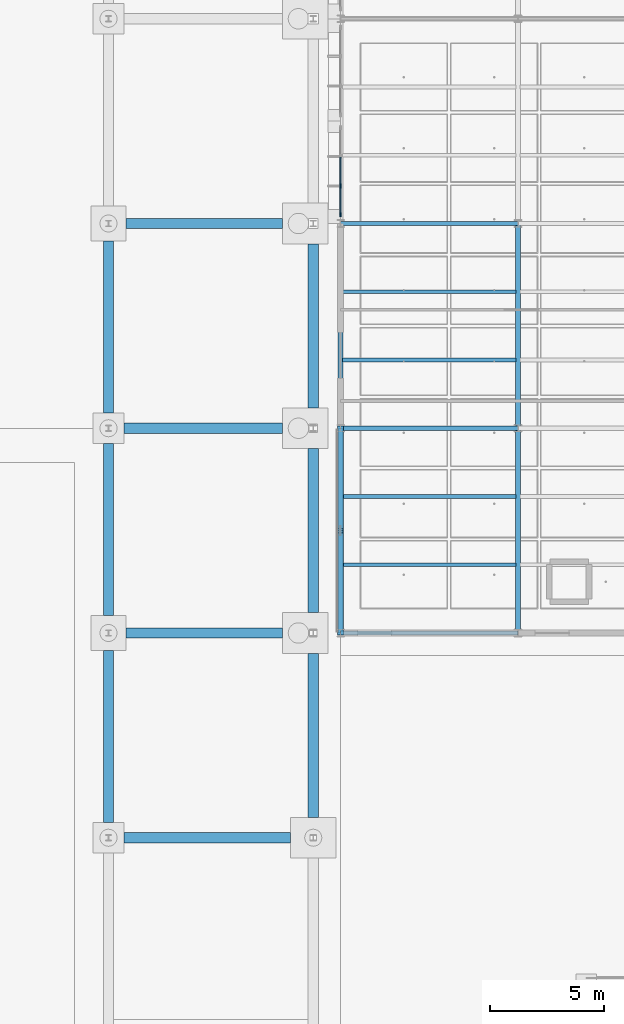
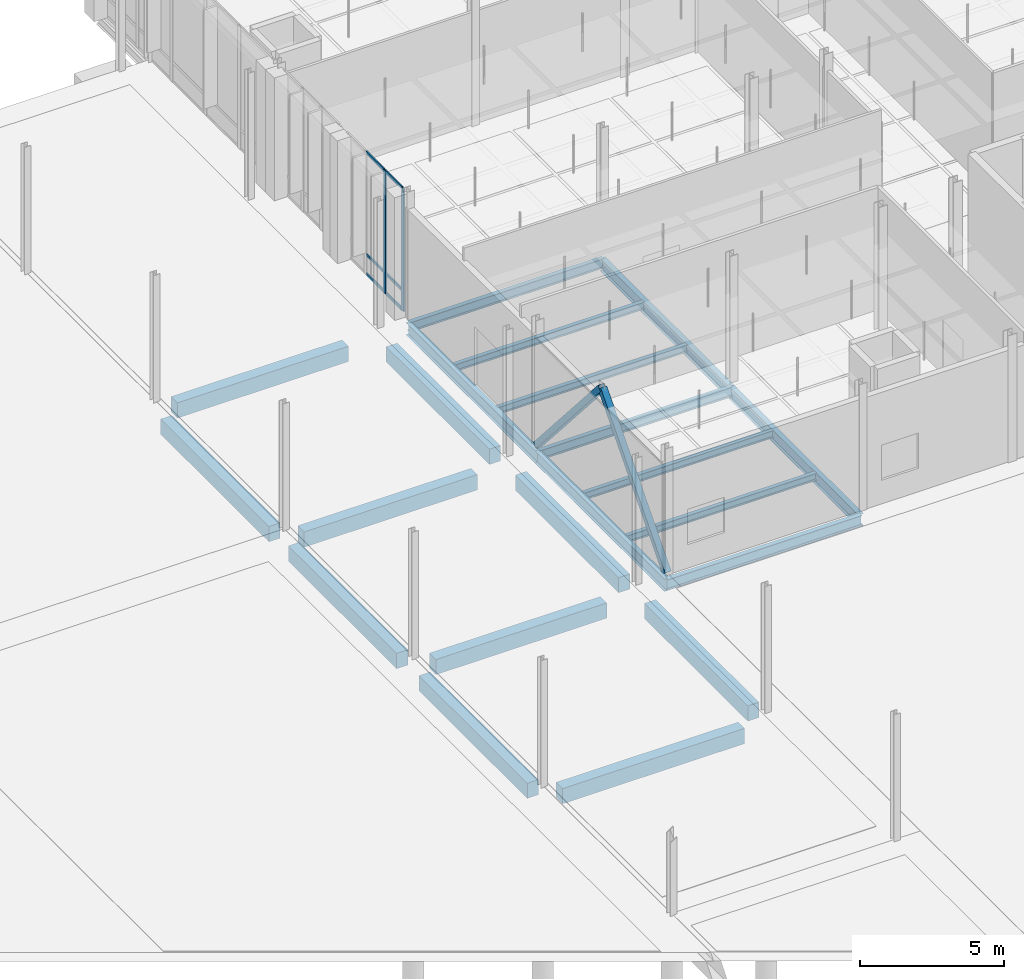
# One storey, part 50 of 180: 21 beams, 10 members, 1 element without a shape of its own.
"""IFC4 building model written with IfcOpenShell, lengths in metres."""

from ifc_helpers import new_model, si_unit, direction, frame, origin, origin_2d, place, context, subcontext, project, spatial, rectangle, hollow_rectangle, i_section, extrude, material, material_profile, profile_set, type_object, element, aggregate, save


model = new_model("IFC4")

# Units and contexts
model_context = context("Model", 3, precision=1e-05, world=origin(), true_north=direction((0.0, 1.0)))
body_context = subcontext(model_context, "Body", "Model", "MODEL_VIEW")
ifc_project = project(units=[si_unit("LENGTHUNIT", "METRE"), si_unit("AREAUNIT", "SQUARE_METRE"), si_unit("VOLUMEUNIT", "CUBIC_METRE"), si_unit("PLANEANGLEUNIT", "RADIAN"), si_unit("MASSUNIT", "GRAM", prefix="KILO"), si_unit("THERMODYNAMICTEMPERATUREUNIT", "KELVIN"), si_unit("POWERUNIT", "WATT")], contexts=[model_context])

# Site, building, storey
site_placement = place(None, origin())
site = spatial("IfcSite", under=ifc_project, at=site_placement, CompositionType="ELEMENT")
building_placement = place(site_placement, origin())
building = spatial("IfcBuilding", under=site, at=building_placement, Name="Tallowbark Science Centre", CompositionType="ELEMENT")
storey_placement = place(building_placement, origin())
storey = spatial("IfcBuildingStorey", under=building, at=storey_placement, Name="L00", CompositionType="ELEMENT", Elevation=0.0)

# Beams
ifc_material_1 = material(Name="Concrete Grade N40 (40 MPa)", Category="concrete")
ifc_material_profile_1 = material_profile(ifc_material_1, rectangle(XDim=0.449951171875, YDim=0.64990234375, at=origin_2d()), Name="RC450x650")
ifc_profile_set_1 = profile_set([ifc_material_profile_1], Name="Concrete Grade N40 (40 MPa)")
beam_type_1 = type_object("IfcBeamType", Name="BM-GB2-N40", PredefinedType="BEAM", material=ifc_profile_set_1)
beam_1_placement = place(storey_placement, frame((45.675048828125, 63.0, -0.5849609375), z_axis=(1.0, 0.0, 0.0), x_axis=(0.0, 1.0, 0.0)))
element("IfcBeam", 1, at=beam_1_placement, inside=storey, type_object=beam_type_1, Name="Ground Tie Beam GBT-X-269", PredefinedType="BEAM", context=body_context, shape_type="SweptSolid", body=[
    extrude(rectangle(XDim=0.449951171875, YDim=0.64990234375, at=origin_2d()), origin(), (0.0, 0.0, 1.0), 7.324951171875),
])
beam_2_placement = place(storey_placement, frame((45.77490234375, 72.0, -0.5849609375), z_axis=(1.0, 0.0, 0.0), x_axis=(0.0, 1.0, 0.0)))
element("IfcBeam", 2, at=beam_2_placement, inside=storey, type_object=beam_type_1, Name="Ground Tie Beam GBT-X-270", PredefinedType="BEAM", context=body_context, shape_type="SweptSolid", body=[
    extrude(rectangle(XDim=0.449951171875, YDim=0.64990234375, at=origin_2d()), origin(), (0.0, 0.0, 1.0), 6.875),
])
beam_3_placement = place(storey_placement, frame((45.675048828125, 81.0, -0.5849609375), z_axis=(1.0, 0.0, 0.0), x_axis=(0.0, 1.0, 0.0)))
element("IfcBeam", 3, at=beam_3_placement, inside=storey, type_object=beam_type_1, Name="Ground Tie Beam GBT-X-274", PredefinedType="BEAM", context=body_context, shape_type="SweptSolid", body=[
    extrude(rectangle(XDim=0.449951171875, YDim=0.64990234375, at=origin_2d()), origin(), (0.0, 0.0, 1.0), 6.974853515625),
])
beam_4_placement = place(storey_placement, frame((45.77490234375, 90.0, -0.5849609375), z_axis=(1.0, 0.0, 0.0), x_axis=(0.0, 1.0, 0.0)))
element("IfcBeam", 4, at=beam_4_placement, inside=storey, type_object=beam_type_1, Name="Ground Tie Beam GBT-X-278", PredefinedType="BEAM", context=body_context, shape_type="SweptSolid", body=[
    extrude(rectangle(XDim=0.449951171875, YDim=0.64990234375, at=origin_2d()), origin(), (0.0, 0.0, 1.0), 6.875),
])
for number, where, z_axis, x_axis, name in (
    (5, (45.0, 63.675048828125, -0.5849609375), (0.0, 1.0, 0.0), (-1.0, 0.0, 0.0), "Ground Tie Beam GBT-Y-310"),
    (6, (45.0, 72.77490234375, -0.5849609375), (0.0, 1.0, 0.0), (-1.0, 0.0, 0.0), "Ground Tie Beam GBT-Y-311"),
    (7, (45.0, 81.675048828125, -0.5849609375), (0.0, 1.0, 0.0), (-1.0, 0.0, 0.0), "Ground Tie Beam GBT-Y-312"),
):
    element("IfcBeam", number, at=place(storey_placement, frame(where, z_axis=z_axis, x_axis=x_axis)), inside=storey, type_object=beam_type_1, Name=name, PredefinedType="BEAM", context=body_context, shape_type="SweptSolid", body=[
        extrude(rectangle(XDim=0.449951171875, YDim=0.64990234375, at=origin_2d()), origin(), (0.0, 0.0, 1.0), 7.550048828125),
    ])
for number, where, z_axis, x_axis, name in (
    (8, (54.0, 63.89990234375, -0.5849609375), (0.0, 1.0, 0.0), (-1.0, 0.0, 0.0), "Ground Tie Beam GBT-Y-322"),
    (9, (54.0, 72.89990234375, -0.5849609375), (0.0, 1.0, 0.0), (-1.0, 0.0, 0.0), "Ground Tie Beam GBT-Y-323"),
    (10, (54.0, 81.89990234375, -0.5849609375), (0.0, 1.0, 0.0), (-1.0, 0.0, 0.0), "Ground Tie Beam GBT-Y-324"),
):
    element("IfcBeam", number, at=place(storey_placement, frame(where, z_axis=z_axis, x_axis=x_axis)), inside=storey, type_object=beam_type_1, Name=name, PredefinedType="BEAM", context=body_context, shape_type="SweptSolid", body=[
        extrude(rectangle(XDim=0.449951171875, YDim=0.64990234375, at=origin_2d()), origin(), (0.0, 0.0, 1.0), 7.2001953125),
    ])
ifc_material_2 = material(Name="Structural Steel Grade 300PLUS (300 MPa)", Category="steel")
ifc_material_profile_2 = material_profile(ifc_material_2, i_section(OverallWidth=0.177734375, OverallDepth=0.406494140625, WebThickness=0.0078125, FlangeThickness=0.0126953125, FilletRadius=0.011474609375, at=origin_2d()), Name="410UB59.7")
ifc_profile_set_2 = profile_set([ifc_material_profile_2], Name="Structural Steel Grade 300PLUS (300 MPa)")
beam_type_2 = type_object("IfcBeamType", Name="BM-UB410", PredefinedType="BEAM", material=ifc_profile_set_2)
for number, where, z_axis, x_axis, name in (
    (11, (55.199951171875, 81.0, -0.443115234375), (1.0, 0.0, 0.0), (0.0, 1.0, 0.0), "Primary Girder GRDX-L00-552-630-810"),
    (12, (55.199951171875, 90.0, -0.443115234375), (1.0, 0.0, 0.0), (0.0, 1.0, 0.0), "Primary Girder GRDX-L00-552-630-900"),
):
    element("IfcBeam", number, at=place(storey_placement, frame(where, z_axis=z_axis, x_axis=x_axis)), inside=storey, type_object=beam_type_2, Name=name, PredefinedType="BEAM", context=body_context, shape_type="SweptSolid", body=[
        extrude(i_section(OverallWidth=0.177734375, OverallDepth=0.406494140625, WebThickness=0.0078125, FlangeThickness=0.0126953125, FilletRadius=0.011474609375, at=origin_2d()), origin(), (0.0, 0.0, 1.0), 7.800048828125),
    ])
ifc_material_profile_3 = material_profile(ifc_material_2, i_section(OverallWidth=0.208740234375, OverallDepth=0.5283203125, WebThickness=0.009521484375, FlangeThickness=0.01318359375, FilletRadius=0.013916015625, at=origin_2d()), Name="530UB82.0")
ifc_profile_set_3 = profile_set([ifc_material_profile_3], Name="Structural Steel Grade 300PLUS (300 MPa)")
beam_type_3 = type_object("IfcBeamType", Name="BM-UB530B", PredefinedType="BEAM", material=ifc_profile_set_3)
for number, where, z_axis, x_axis, name in (
    (13, (55.199951171875, 72.0, -0.504150390625), (0.0, 1.0, 0.0), (-1.0, 0.0, 0.0), "Primary Girder GRDY-L00-552-720-810"),
    (14, (55.199951171875, 81.0, -0.504150390625), (0.0, 1.0, 0.0), (-1.0, 0.0, 0.0), "Primary Girder GRDY-L00-552-810-900"),
    (15, (63.0, 72.0, -0.504150390625), (0.0, 1.0, 0.0), (-1.0, 0.0, 0.0), "Primary Girder GRDY-L00-630-720-810"),
    (16, (63.0, 81.0, -0.504150390625), (0.0, 1.0, 0.0), (-1.0, 0.0, 0.0), "Primary Girder GRDY-L00-630-810-900"),
):
    element("IfcBeam", number, at=place(storey_placement, frame(where, z_axis=z_axis, x_axis=x_axis)), inside=storey, type_object=beam_type_3, Name=name, PredefinedType="BEAM", context=body_context, shape_type="SweptSolid", body=[
        extrude(i_section(OverallWidth=0.208740234375, OverallDepth=0.5283203125, WebThickness=0.009521484375, FlangeThickness=0.01318359375, FilletRadius=0.013916015625, at=origin_2d()), origin(), (0.0, 0.0, 1.0), 9.0),
    ])

# Members
ifc_material_3 = material(Name="Structural Steel Grade C350L0 (350 MPa)", Category="steel")
ifc_material_profile_4 = material_profile(ifc_material_3, hollow_rectangle(XDim=0.25, YDim=0.25, WallThickness=0.009033203125, at=origin_2d()), Name="250x250x9.0SHS")
ifc_profile_set_4 = profile_set([ifc_material_profile_4], Name="Structural Steel Grade C350L0 (350 MPa)")
member_type_1 = type_object("IfcMemberType", Name="CBF-250SHS", PredefinedType="BRACE", material=ifc_profile_set_4)
for number, where, z_axis, x_axis, name in (
    (17, (55.199951171875, 72.0, 0.0), (0.0, 0.657993936846, 0.753023226119), (-1.0, 0.0, 0.0), "Concentric Chevron Brace CBF-LAB-W1A L00 Left"),
    (18, (55.199951171875, 81.0, 0.0), (0.0, -0.657993936846, 0.753023226119), (1.0, 0.0, 0.0), "Concentric Chevron Brace CBF-LAB-W1A L00 Right"),
):
    element("IfcMember", number, at=place(storey_placement, frame(where, z_axis=z_axis, x_axis=x_axis)), inside=storey, type_object=member_type_1, Name=name, PredefinedType="BRACE", context=body_context, shape_type="SweptSolid", body=[
        extrude(hollow_rectangle(XDim=0.25, YDim=0.25, WallThickness=0.009033203125, at=origin_2d()), origin(), (0.0, 0.0, 1.0), 6.8388671875),
    ])

# Curtain wall, members
ifc_material_4 = material(Name="Unitised Thermally Broken Aluminium and Low-E Double Glazing", Category="aluminium")
curtain_wall_type = type_object("IfcCurtainWallType", Name="CW-SYS-FACADE", PredefinedType="NOTDEFINED", material=ifc_material_4)
curtain_wall_placement = place(storey_placement, origin())
curtain_wall = element("IfcCurtainWall", 19, at=curtain_wall_placement, inside=storey, type_object=curtain_wall_type, Name="Unitised Curtain Wall LAB-W-90B CW-L00-029", PredefinedType="NOTDEFINED")
ifc_material_5 = material(Name="Anodised Architectural Aluminium Alloy 6063-T6", Category="aluminium")
ifc_material_profile_5 = material_profile(ifc_material_5, rectangle(XDim=0.06494140625, YDim=0.179931640625, at=origin_2d()), Name="ALU65x180")
ifc_profile_set_5 = profile_set([ifc_material_profile_5], Name="Anodised Architectural Aluminium Alloy 6063-T6")
member_type_2 = type_object("IfcMemberType", Name="CWM-MUL-220", PredefinedType="MULLION", material=ifc_profile_set_5)
member_1_placement = place(storey_placement, frame((55.199951171875, 91.64990234375, 0.0), z_axis=(0.0, 0.0, 1.0), x_axis=(1.0, 0.0, 0.0)))
member_1 = element("IfcMember", 20, at=member_1_placement, type_object=member_type_2, Name="CW-01 mullion 3", PredefinedType="MULLION", context=body_context, shape_type="SweptSolid", body=[
    extrude(rectangle(XDim=0.06494140625, YDim=0.179931640625, at=origin_2d()), origin(), (0.0, 0.0, 1.0), 5.219970703125),
])
member_2_placement = place(storey_placement, frame((55.199951171875, 90.382568359375, 0.0), z_axis=(0.0, 0.0, 1.0), x_axis=(1.0, 0.0, 0.0)))
member_2 = element("IfcMember", 21, at=member_2_placement, type_object=member_type_2, Name="CW-01 mullion 4", PredefinedType="MULLION", context=body_context, shape_type="SweptSolid", body=[
    extrude(rectangle(XDim=0.06494140625, YDim=0.179931640625, at=origin_2d()), origin(), (0.0, 0.0, 1.0), 5.219970703125),
])
ifc_material_profile_6 = material_profile(ifc_material_5, rectangle(XDim=0.054931640625, YDim=0.1201171875, at=origin_2d()), Name="ALU55x120")
ifc_profile_set_6 = profile_set([ifc_material_profile_6], Name="Anodised Architectural Aluminium Alloy 6063-T6")
member_type_3 = type_object("IfcMemberType", Name="CWM-TRN-150", PredefinedType="USERDEFINED", material=ifc_profile_set_6)
member_3_placement = place(storey_placement, frame((55.199951171875, 92.91748046875, 0.027587890625), z_axis=(0.0, -1.0, 0.0), x_axis=(1.0, 0.0, 0.0)))
member_3 = element("IfcMember", 22, at=member_3_placement, type_object=member_type_3, Name="CW-01 transom 2.1", ObjectType="TRANSOM", PredefinedType="USERDEFINED", context=body_context, shape_type="SweptSolid", body=[
    extrude(rectangle(XDim=0.054931640625, YDim=0.1201171875, at=origin_2d()), origin(), (0.0, 0.0, 1.0), 1.23486328125),
])
member_4_placement = place(storey_placement, frame((55.199951171875, 92.91748046875, 0.85009765625), z_axis=(0.0, -1.0, 0.0), x_axis=(1.0, 0.0, 0.0)))
member_4 = element("IfcMember", 23, at=member_4_placement, type_object=member_type_3, Name="CW-01 transom 2.2", ObjectType="TRANSOM", PredefinedType="USERDEFINED", context=body_context, shape_type="SweptSolid", body=[
    extrude(rectangle(XDim=0.054931640625, YDim=0.1201171875, at=origin_2d()), origin(), (0.0, 0.0, 1.0), 1.23486328125),
])
member_5_placement = place(storey_placement, frame((55.199951171875, 92.91748046875, 5.1923828125), z_axis=(0.0, -1.0, 0.0), x_axis=(1.0, 0.0, 0.0)))
member_5 = element("IfcMember", 24, at=member_5_placement, type_object=member_type_3, Name="CW-01 transom 2.3", ObjectType="TRANSOM", PredefinedType="USERDEFINED", context=body_context, shape_type="SweptSolid", body=[
    extrude(rectangle(XDim=0.054931640625, YDim=0.1201171875, at=origin_2d()), origin(), (0.0, 0.0, 1.0), 1.23486328125),
])
member_6_placement = place(storey_placement, frame((55.199951171875, 91.617431640625, 0.027587890625), z_axis=(0.0, -1.0, 0.0), x_axis=(1.0, 0.0, 0.0)))
member_6 = element("IfcMember", 25, at=member_6_placement, type_object=member_type_3, Name="CW-01 transom 3.1", ObjectType="TRANSOM", PredefinedType="USERDEFINED", context=body_context, shape_type="SweptSolid", body=[
    extrude(rectangle(XDim=0.054931640625, YDim=0.1201171875, at=origin_2d()), origin(), (0.0, 0.0, 1.0), 1.202392578125),
])
member_7_placement = place(storey_placement, frame((55.199951171875, 91.617431640625, 0.85009765625), z_axis=(0.0, -1.0, 0.0), x_axis=(1.0, 0.0, 0.0)))
member_7 = element("IfcMember", 26, at=member_7_placement, type_object=member_type_3, Name="CW-01 transom 3.2", ObjectType="TRANSOM", PredefinedType="USERDEFINED", context=body_context, shape_type="SweptSolid", body=[
    extrude(rectangle(XDim=0.054931640625, YDim=0.1201171875, at=origin_2d()), origin(), (0.0, 0.0, 1.0), 1.202392578125),
])
member_8_placement = place(storey_placement, frame((55.199951171875, 91.617431640625, 5.1923828125), z_axis=(0.0, -1.0, 0.0), x_axis=(1.0, 0.0, 0.0)))
member_8 = element("IfcMember", 27, at=member_8_placement, type_object=member_type_3, Name="CW-01 transom 3.3", ObjectType="TRANSOM", PredefinedType="USERDEFINED", context=body_context, shape_type="SweptSolid", body=[
    extrude(rectangle(XDim=0.054931640625, YDim=0.1201171875, at=origin_2d()), origin(), (0.0, 0.0, 1.0), 1.202392578125),
])
aggregate(curtain_wall, [member_1, member_2, member_3, member_4, member_5, member_6, member_7, member_8])

# Beams
ifc_material_profile_7 = material_profile(ifc_material_2, i_section(OverallWidth=0.166015625, OverallDepth=0.30712890625, WebThickness=0.006591796875, FlangeThickness=0.01171875, FilletRadius=0.011474609375, at=origin_2d()), Name="310UB46.2")
ifc_profile_set_7 = profile_set([ifc_material_profile_7], Name="Structural Steel Grade 300PLUS (300 MPa)")
beam_type_4 = type_object("IfcBeamType", Name="JST-UB310", PredefinedType="JOIST", material=ifc_profile_set_7)
for number, where, z_axis, x_axis, name in (
    (28, (55.284912109375, 75.0, -0.3935546875), (1.0, 0.0, 0.0), (0.0, 1.0, 0.0), "Composite Floor Joist JSTX-L00-552-750"),
    (29, (55.284912109375, 78.0, -0.3935546875), (1.0, 0.0, 0.0), (0.0, 1.0, 0.0), "Composite Floor Joist JSTX-L00-552-780"),
    (30, (55.284912109375, 84.0, -0.3935546875), (1.0, 0.0, 0.0), (0.0, 1.0, 0.0), "Composite Floor Joist JSTX-L00-552-840"),
    (31, (55.284912109375, 87.0, -0.3935546875), (1.0, 0.0, 0.0), (0.0, 1.0, 0.0), "Composite Floor Joist JSTX-L00-552-870"),
):
    element("IfcBeam", number, at=place(storey_placement, frame(where, z_axis=z_axis, x_axis=x_axis)), inside=storey, type_object=beam_type_4, Name=name, PredefinedType="JOIST", context=body_context, shape_type="SweptSolid", body=[
        extrude(i_section(OverallWidth=0.166015625, OverallDepth=0.30712890625, WebThickness=0.006591796875, FlangeThickness=0.01171875, FilletRadius=0.011474609375, at=origin_2d()), origin(), (0.0, 0.0, 1.0), 7.630126953125),
    ])
ifc_material_profile_8 = material_profile(ifc_material_2, i_section(OverallWidth=0.18994140625, OverallDepth=0.453857421875, WebThickness=0.008544921875, FlangeThickness=0.0126953125, FilletRadius=0.011474609375, at=origin_2d()), Name="460UB67.1")
ifc_profile_set_8 = profile_set([ifc_material_profile_8], Name="Structural Steel Grade 300PLUS (300 MPa)")
beam_type_5 = type_object("IfcBeamType", Name="SPN-UB460", PredefinedType="SPANDREL", material=ifc_profile_set_8)
beam_5_placement = place(storey_placement, frame((55.199951171875, 72.0, -0.466796875), z_axis=(1.0, 0.0, 0.0), x_axis=(0.0, 1.0, 0.0)))
element("IfcBeam", 32, at=beam_5_placement, inside=storey, type_object=beam_type_5, Name="Primary Girder GRDX-L00-552-630-720", PredefinedType="SPANDREL", context=body_context, shape_type="SweptSolid", body=[
    extrude(i_section(OverallWidth=0.18994140625, OverallDepth=0.453857421875, WebThickness=0.008544921875, FlangeThickness=0.0126953125, FilletRadius=0.011474609375, at=origin_2d()), origin(), (0.0, 0.0, 1.0), 7.800048828125),
])

save(model, "model.ifc")
